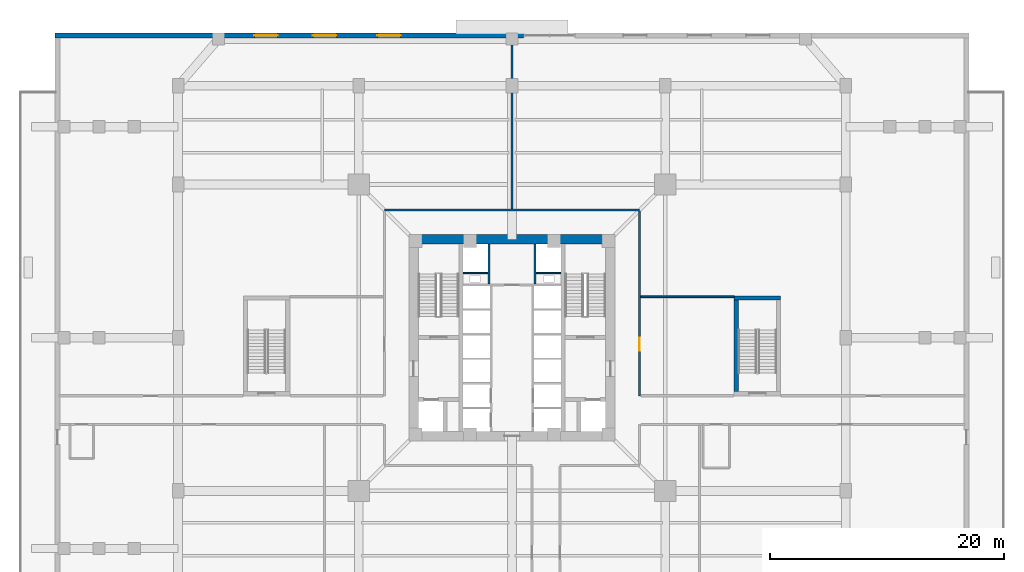
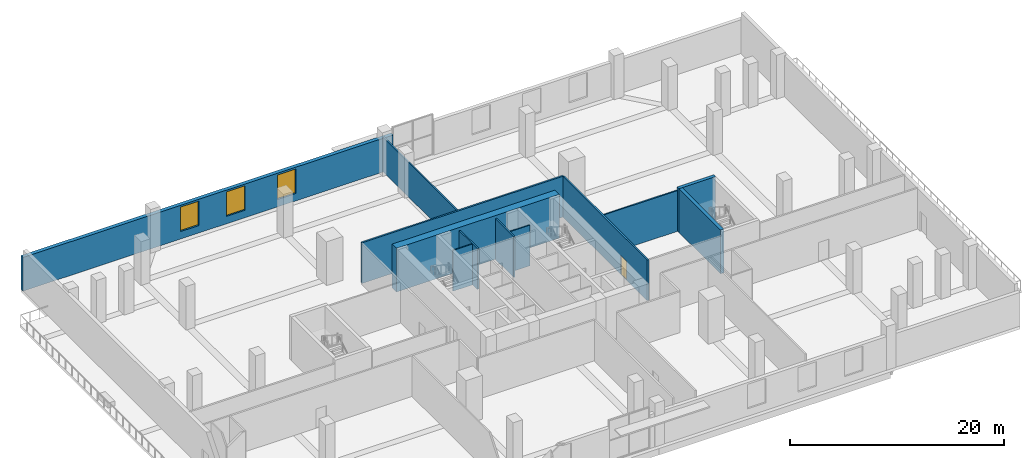
# One storey, part 8 of 17: 12 walls, 3 windows, 1 door, 4 openings.
"""IFC4 building model written with IfcOpenShell, lengths in metres."""

from ifc_helpers import new_model, si_unit, direction, frame, frame_2d, origin, place, context, subcontext, project, spatial, rectangle, extrude, source, transform, mapped, material, layer, layer_set, type_object, element, fill, save


model = new_model("IFC4")

# Units and contexts
model_context = context("Model", 3, precision=1e-05, world=origin(), true_north=direction((0.0, 1.0)))
body_context = subcontext(model_context, "Body", "Model", "MODEL_VIEW")
ifc_project = project(units=[si_unit("LENGTHUNIT", "METRE"), si_unit("AREAUNIT", "SQUARE_METRE"), si_unit("VOLUMEUNIT", "CUBIC_METRE"), si_unit("PLANEANGLEUNIT", "RADIAN"), si_unit("MASSUNIT", "GRAM", prefix="KILO"), si_unit("THERMODYNAMICTEMPERATUREUNIT", "KELVIN")], contexts=[model_context])

# Site, building, storey
site_placement = place(None, origin())
site = spatial("IfcSite", under=ifc_project, at=site_placement, CompositionType="ELEMENT")
building_placement = place(site_placement, origin())
building = spatial("IfcBuilding", under=site, at=building_placement, Name="Kosmvard Interchange Tower", CompositionType="ELEMENT")
storey_placement = place(building_placement, frame((0.0, 0.0, 6.0)))
storey = spatial("IfcBuildingStorey", under=building, at=storey_placement, Name="L01", CompositionType="ELEMENT", Elevation=6.0)

# Walls
ifc_material_1 = material(Name="Acoustic gypsum partition system")
ifc_layer_1 = layer(ifc_material_1, 0.14990234375, Name="Acoustic gypsum partition system")
ifc_layer_set_1 = layer_set([ifc_layer_1], Name="Acoustic gypsum partition system")
wall_type_1 = type_object("IfcWallType", Name="Acoustic Suite & Meeting Partition 150", PredefinedType="PARTITIONING", material=ifc_layer_set_1)
wall_1_placement = place(storey_placement, frame((0.0, 10.9951171875, 0.0), z_axis=(0.0, 0.0, 1.0), x_axis=(0.0, 1.0, 0.0)))
element("IfcWall", 1, at=wall_1_placement, inside=storey, type_object=wall_type_1, Name="L01 Room Partition 01.1", PredefinedType="PARTITIONING", context=body_context, shape_type="SweptSolid", body=[
    extrude(rectangle(XDim=14.669921875, YDim=0.14990234375, at=frame_2d((7.3349609375, 0.0))), origin(), (0.0, 0.0, 1.0), 3.949951171875),
])
wall_2_placement = place(storey_placement, frame((10.9951171875, 3.5, 0.0), z_axis=(0.0, 0.0, 1.0), x_axis=(1.0, 0.0, 0.0)))
element("IfcWall", 2, at=wall_2_placement, inside=storey, type_object=wall_type_1, Name="L01 Room Partition 03.1", PredefinedType="PARTITIONING", context=body_context, shape_type="SweptSolid", body=[
    extrude(rectangle(XDim=7.96484375, YDim=0.14990234375, at=frame_2d((3.982421875, 0.0))), origin(), (0.0, 0.0, 1.0), 4.659912109375),
])
ifc_material_2 = material(Name="Fire-rated gypsum partition system")
ifc_layer_2 = layer(ifc_material_2, 0.159912109375, Name="Fire-rated gypsum partition system")
ifc_layer_set_2 = layer_set([ifc_layer_2], Name="Fire-rated gypsum partition system")
wall_type_2 = type_object("IfcWallType", Name="Core Compartment & Shuttle Lobby Partition 160", PredefinedType="PARTITIONING", material=ifc_layer_set_2)
for number, where, z_axis, x_axis, name in (
    (3, (-1.9599609375, 4.580078125, 0.0), (0.0, 0.0, 1.0), (0.0, 1.0, 0.0), "L01 North Core West Wall"),
    (4, (1.9599609375, 4.580078125, 0.0), (0.0, 0.0, 1.0), (0.0, 1.0, 0.0), "L01 North Core East Wall"),
):
    element("IfcWall", number, at=place(storey_placement, frame(where, z_axis=z_axis, x_axis=x_axis)), inside=storey, type_object=wall_type_2, Name=name, PredefinedType="PARTITIONING", context=body_context, shape_type="SweptSolid", body=[
        extrude(rectangle(XDim=3.39990234375, YDim=0.159912109375, at=frame_2d((1.699951171875, 0.0))), origin(), (0.0, 0.0, 1.0), 4.659912109375),
    ])
ifc_layer_3 = layer(ifc_material_2, 0.179931640625, Name="Fire-rated gypsum partition system")
ifc_layer_set_3 = layer_set([ifc_layer_3], Name="Fire-rated gypsum partition system")
wall_type_3 = type_object("IfcWallType", Name="Corridor & Hotel Compartment Partition 180", PredefinedType="PARTITIONING", material=ifc_layer_set_3)
wall_3_placement = place(storey_placement, frame((-10.89990234375, 10.89990234375, 0.0), z_axis=(0.0, 0.0, 1.0), x_axis=(1.0, 0.0, 0.0)))
element("IfcWall", 5, at=wall_3_placement, inside=storey, type_object=wall_type_3, Name="L01 Corridor Wall CN", PredefinedType="PARTITIONING", context=body_context, shape_type="SweptSolid", body=[
    extrude(rectangle(XDim=21.7998046875, YDim=0.179931640625, at=frame_2d((10.89990234375, 0.0))), origin(), (0.0, 0.0, 1.0), 4.659912109375),
])

# Wall, opening, door
wall_4_placement = place(storey_placement, frame((10.89990234375, -4.9599609375, 0.0), z_axis=(0.0, 0.0, 1.0), x_axis=(0.0, 1.0, 0.0)))
wall_4 = element("IfcWall", 6, at=wall_4_placement, inside=storey, type_object=wall_type_3, Name="L01 Corridor Wall CEN", PredefinedType="PARTITIONING", context=body_context, shape_type="SweptSolid", body=[
    extrude(rectangle(XDim=15.760009765625, YDim=0.179931640625, at=frame_2d((7.8798828125, 0.0))), origin(), (0.0, 0.0, 1.0), 4.659912109375),
])
opening_1_placement = place(wall_4_placement, frame((3.844482421875, 0.0, 0.0)))
opening_1 = element("IfcOpeningElement", 7, at=opening_1_placement, cuts=wall_4, Name="Opening L01-D06", PredefinedType="OPENING", context=body_context, shape_type="SweptSolid", body=[
    extrude(rectangle(XDim=1.10009765625, YDim=2.199951171875, at=frame_2d((0.550048828125, 1.10009765625))), frame((0.0, 0.10009765625, 0.0), z_axis=(0.0, -1.0, 0.0), x_axis=(1.0, 0.0, 0.0)), (0.0, 0.0, 1.0), 0.199951171875),
])
ifc_material_3 = material(Name="Engineered oak fire-rated timber", Category="wood")
door_type = type_object("IfcDoorType", Name="Office Suite Entrance Door 1100x2200 FD30S", OperationType="NOTDEFINED", PredefinedType="DOOR", material=ifc_material_3)
shared_shape_1 = source(origin(), body_context, "Body", "SweptSolid", [
    extrude(rectangle(XDim=1.10009765625, YDim=2.199951171875, at=frame_2d((0.550048828125, 1.10009765625))), frame((0.0, 0.02490234375, 0.0), z_axis=(0.0, -1.0, 0.0), x_axis=(1.0, 0.0, 0.0)), (0.0, 0.0, 1.0), 0.050048828125),
])
door_placement = place(opening_1_placement, frame((1.10009765625, 0.0, 0.0), z_axis=(0.0, 0.0, 1.0), x_axis=(-1.0, 0.0, 0.0)))
door = element("IfcDoor", 8, at=door_placement, inside=storey, type_object=door_type, Name="L01 L01 Retail Stockroom Store Door", OperationType="SINGLE_SWING_RIGHT", OverallHeight=2.199951171875, OverallWidth=1.10009765625, PredefinedType="DOOR", context=body_context, shape_type="MappedRepresentation", body=[
    mapped(shared_shape_1, transform((0.0, 0.0, 0.0), scale=1.0)),
])
fill(opening_1, door)

# Wall
ifc_material_4 = material(Name="Concrete C80/95", Category="concrete")
ifc_layer_4 = layer(ifc_material_4, 0.800048828125, Name="Concrete C80/95")
ifc_layer_set_4 = layer_set([ifc_layer_4], Name="Concrete C80/95")
wall_type_4 = type_object("IfcWallType", Name="Lower Core Shear Wall 800 C80/95", PredefinedType="SHEAR", material=ifc_layer_set_4)
wall_5_placement = place(storey_placement, frame((-8.800048828125, 8.39990234375, 0.0), z_axis=(0.0, 0.0, 1.0), x_axis=(1.0, 0.0, 0.0)))
element("IfcWall", 9, at=wall_5_placement, inside=storey, type_object=wall_type_4, Name="L01 Core Shear Wall CW-N", PredefinedType="SHEAR", context=body_context, shape_type="SweptSolid", body=[
    extrude(rectangle(XDim=17.60009765625, YDim=0.800048828125, at=frame_2d((8.800048828125, 0.0))), origin(), (0.0, 0.0, 1.0), 5.0),
])

# Wall, openings, windows
ifc_material_5 = material(Name="Precast concrete C45/55", Category="concrete")
ifc_layer_5 = layer(ifc_material_5, 0.39990234375, Name="Precast concrete C45/55")
ifc_layer_set_5 = layer_set([ifc_layer_5], Name="Precast concrete C45/55")
wall_type_5 = type_object("IfcWallType", Name="Podium Precast Stone Pier Wall 400 C45/55", PredefinedType="STANDARD", material=ifc_layer_set_5)
wall_6_placement = place(storey_placement, frame((-39.0, 25.800048828125, 0.0), z_axis=(0.0, 0.0, 1.0), x_axis=(1.0, 0.0, 0.0)))
wall_6 = element("IfcWall", 10, at=wall_6_placement, inside=storey, type_object=wall_type_5, Name="L01 Podium Precast Wall EW-N1", PredefinedType="STANDARD", context=body_context, shape_type="SweptSolid", body=[
    extrude(rectangle(XDim=40.0, YDim=0.39990234375, at=frame_2d((20.0, 0.0))), origin(), (0.0, 0.0, 1.0), 3.85009765625),
])
opening_2_placement = place(wall_6_placement, frame((17.0, 0.0, 0.85009765625)))
opening_2 = element("IfcOpeningElement", 11, at=opening_2_placement, cuts=wall_6, Name="Opening L01-W7", PredefinedType="OPENING", context=body_context, shape_type="SweptSolid", body=[
    extrude(rectangle(XDim=2.0, YDim=2.800048828125, at=frame_2d((1.0, 1.39990234375))), frame((0.0, 0.2099609375, 0.0), z_axis=(0.0, -1.0, 0.0), x_axis=(1.0, 0.0, 0.0)), (0.0, 0.0, 1.0), 0.419921875),
])
opening_3_placement = place(wall_6_placement, frame((22.0, 0.0, 0.85009765625)))
opening_3 = element("IfcOpeningElement", 12, at=opening_3_placement, cuts=wall_6, Name="Opening L01-W8", PredefinedType="OPENING", context=body_context, shape_type="SweptSolid", body=[
    extrude(rectangle(XDim=2.0, YDim=2.800048828125, at=frame_2d((1.0, 1.39990234375))), frame((0.0, 0.2099609375, 0.0), z_axis=(0.0, -1.0, 0.0), x_axis=(1.0, 0.0, 0.0)), (0.0, 0.0, 1.0), 0.419921875),
])
opening_4_placement = place(wall_6_placement, frame((27.5, 0.0, 0.85009765625)))
opening_4 = element("IfcOpeningElement", 13, at=opening_4_placement, cuts=wall_6, Name="Opening L01-W9", PredefinedType="OPENING", context=body_context, shape_type="SweptSolid", body=[
    extrude(rectangle(XDim=2.0, YDim=2.800048828125, at=frame_2d((1.0, 1.39990234375))), frame((0.0, 0.2099609375, 0.0), z_axis=(0.0, -1.0, 0.0), x_axis=(1.0, 0.0, 0.0)), (0.0, 0.0, 1.0), 0.419921875),
])
ifc_material_6 = material(Name="Low-E solar-control double glazing", Category="glass")
window_type = type_object("IfcWindowType", Name="Podium Lounge Punched Window 2000x2800", PartitioningType="SINGLE_PANEL", PredefinedType="WINDOW", material=ifc_material_6)
shared_shape_2 = source(origin(), body_context, "Body", "SweptSolid", [
    extrude(rectangle(XDim=2.0, YDim=2.800048828125, at=frame_2d((1.0, 1.39990234375))), frame((0.0, 0.030029296875, 0.0), z_axis=(0.0, -1.0, 0.0), x_axis=(1.0, 0.0, 0.0)), (0.0, 0.0, 1.0), 0.06005859375),
])
window_1_placement = place(opening_2_placement, origin())
window_1 = element("IfcWindow", 14, at=window_1_placement, inside=storey, type_object=window_type, Name="L01 Podium Window 7", OverallHeight=2.800048828125, OverallWidth=2.0, PartitioningType="SINGLE_PANEL", PredefinedType="WINDOW", context=body_context, shape_type="MappedRepresentation", body=[
    mapped(shared_shape_2, transform((0.0, 0.0, 0.0), scale=1.0)),
])
fill(opening_2, window_1)
window_2_placement = place(opening_3_placement, origin())
window_2 = element("IfcWindow", 15, at=window_2_placement, inside=storey, type_object=window_type, Name="L01 Podium Window 8", OverallHeight=2.800048828125, OverallWidth=2.0, PartitioningType="SINGLE_PANEL", PredefinedType="WINDOW", context=body_context, shape_type="MappedRepresentation", body=[
    mapped(shared_shape_2, transform((0.0, 0.0, 0.0), scale=1.0)),
])
fill(opening_3, window_2)
window_3_placement = place(opening_4_placement, origin())
window_3 = element("IfcWindow", 16, at=window_3_placement, inside=storey, type_object=window_type, Name="L01 Podium Window 9", OverallHeight=2.800048828125, OverallWidth=2.0, PartitioningType="SINGLE_PANEL", PredefinedType="WINDOW", context=body_context, shape_type="MappedRepresentation", body=[
    mapped(shared_shape_2, transform((0.0, 0.0, 0.0), scale=1.0)),
])
fill(opening_4, window_3)

# Walls
ifc_material_7 = material(Name="Fire-rated gypsum shaftwall system")
ifc_layer_6 = layer(ifc_material_7, 0.1201171875, Name="Fire-rated gypsum shaftwall system")
ifc_layer_set_6 = layer_set([ifc_layer_6], Name="Fire-rated gypsum shaftwall system")
wall_type_6 = type_object("IfcWallType", Name="Shaft & Riser Fire Partition 120 EI60", PredefinedType="PARTITIONING", material=ifc_layer_set_6)
for number, where, z_axis, x_axis, name in (
    (17, (-4.159912109375, 5.52001953125, 0.0), (0.0, 0.0, 1.0), (1.0, 0.0, 0.0), "L01 Riser Shaft Divider W"),
    (18, (2.06005859375, 5.52001953125, 0.0), (0.0, 0.0, 1.0), (1.0, 0.0, 0.0), "L01 Riser Shaft Divider E"),
):
    element("IfcWall", number, at=place(storey_placement, frame(where, z_axis=z_axis, x_axis=x_axis)), inside=storey, type_object=wall_type_6, Name=name, PredefinedType="PARTITIONING", context=body_context, shape_type="SweptSolid", body=[
        extrude(rectangle(XDim=2.099853515625, YDim=0.1201171875, at=frame_2d((1.0498046875, 0.0))), origin(), (0.0, 0.0, 1.0), 4.659912109375),
    ])
ifc_material_8 = material(Name="Concrete C60/75", Category="concrete")
ifc_layer_7 = layer(ifc_material_8, 0.360107421875, Name="Concrete C60/75")
ifc_layer_set_7 = layer_set([ifc_layer_7], Name="Concrete C60/75")
wall_type_7 = type_object("IfcWallType", Name="Stair & Lift Shaft Shear Wall 360 C60/75", PredefinedType="SHEAR", material=ifc_layer_set_7)
wall_7_placement = place(storey_placement, frame((18.9599609375, 3.3798828125, 0.0), z_axis=(0.0, 0.0, 1.0), x_axis=(1.0, 0.0, 0.0)))
element("IfcWall", 19, at=wall_7_placement, inside=storey, type_object=wall_type_7, Name="L01 Podium Stair Shear Wall ST4N", PredefinedType="SHEAR", context=body_context, shape_type="SweptSolid", body=[
    extrude(rectangle(XDim=3.97998046875, YDim=0.360107421875, at=frame_2d((1.989990234375, 0.0))), origin(), (0.0, 0.0, 1.0), 5.0),
])
wall_8_placement = place(storey_placement, frame((19.139892578125, -4.60009765625, 0.0), z_axis=(0.0, 0.0, 1.0), x_axis=(0.0, 1.0, 0.0)))
element("IfcWall", 20, at=wall_8_placement, inside=storey, type_object=wall_type_7, Name="L01 Podium Stair Shear Wall ST4W", PredefinedType="SHEAR", context=body_context, shape_type="SweptSolid", body=[
    extrude(rectangle(XDim=7.800048828125, YDim=0.360107421875, at=frame_2d((3.89990234375, 0.0))), origin(), (0.0, 0.0, 1.0), 5.0),
])

save(model, "model.ifc")
